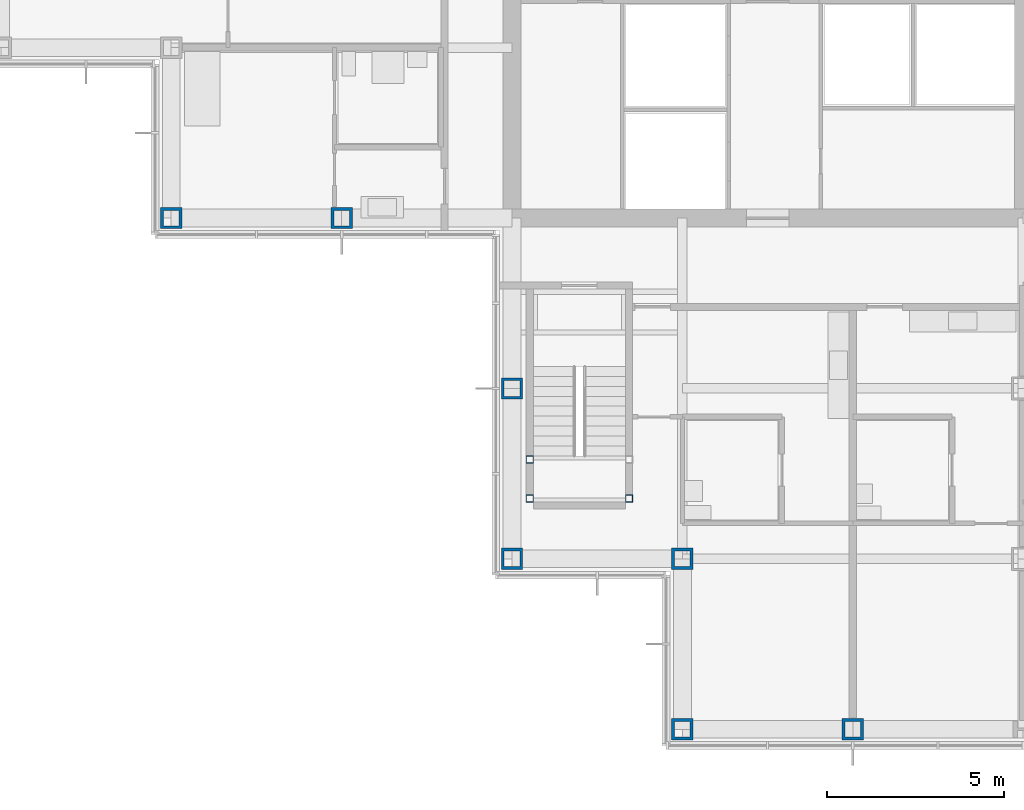
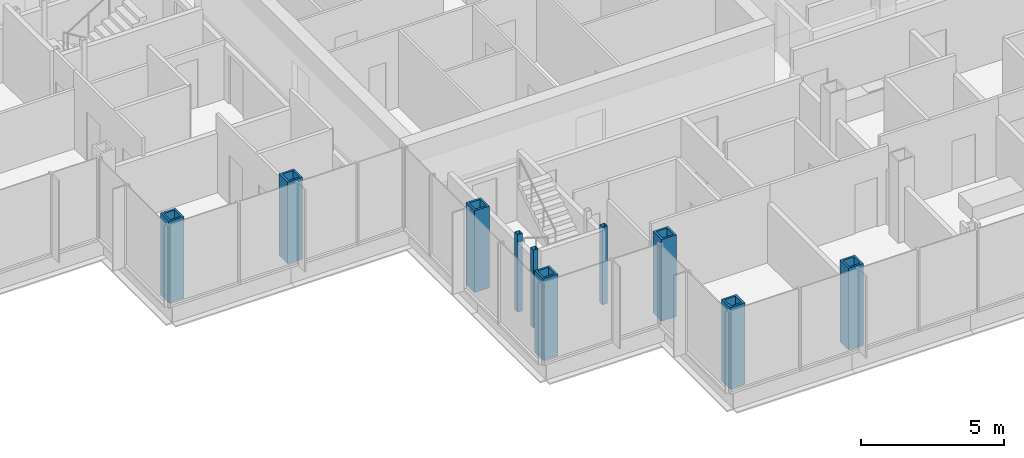
# One storey, part 1 of 19: 10 columns.
"""IFC4 building model written with IfcOpenShell, lengths in metres."""

from ifc_helpers import new_model, si_unit, direction, frame, origin, origin_2d, place, context, subcontext, project, spatial, hollow_rectangle, extrude, material, material_profile, profile_set, type_object, element, save


model = new_model("IFC4")

# Units and contexts
model_context = context("Model", 3, precision=1e-05, world=origin(), true_north=direction((0.0, 1.0)))
body_context = subcontext(model_context, "Body", "Model", "MODEL_VIEW")
ifc_project = project(units=[si_unit("LENGTHUNIT", "METRE"), si_unit("AREAUNIT", "SQUARE_METRE"), si_unit("VOLUMEUNIT", "CUBIC_METRE"), si_unit("PLANEANGLEUNIT", "RADIAN"), si_unit("MASSUNIT", "GRAM", prefix="KILO")], contexts=[model_context])

# Site, building, storey
site_placement = place(None, origin())
site = spatial("IfcSite", under=ifc_project, at=site_placement, CompositionType="ELEMENT")
building_placement = place(site_placement, origin())
building = spatial("IfcBuilding", under=site, at=building_placement, Name="Kvirike Care Tower", CompositionType="ELEMENT")
storey_placement = place(building_placement, frame((0.0, 0.0, 108.5)))
storey = spatial("IfcBuildingStorey", under=building, at=storey_placement, Name="L29", CompositionType="ELEMENT", Elevation=108.5)

# Columns
ifc_material_1 = material(Name="Steel S460", Category="steel")
ifc_material_profile_1 = material_profile(ifc_material_1, hollow_rectangle(XDim=0.60009765625, YDim=0.60009765625, WallThickness=0.080078125, at=origin_2d()), Name="BX 600x600x80")
ifc_profile_set_1 = profile_set([ifc_material_profile_1], Name="Steel S460")
column_type_1 = type_object("IfcColumnType", Name="COLUMN BX 600x600x80", PredefinedType="COLUMN", material=ifc_profile_set_1)
for number, where, z_axis, x_axis, name in (
    (1, (4.800048828125, 28.800048828125, 0.0), (0.0, 0.0, 1.0), (0.0, 1.0, 0.0), "Column G4 L29"),
    (2, (9.60009765625, 28.800048828125, 0.0), (0.0, 0.0, 1.0), (0.0, 1.0, 0.0), "Column G5 L29"),
    (3, (14.39990234375, 19.199951171875, 0.0), (0.0, 0.0, 1.0), (0.0, 1.0, 0.0), "Column E6 L29"),
    (4, (14.39990234375, 24.0, 0.0), (0.0, 0.0, 1.0), (1.0, 0.0, 0.0), "Column F6 L29"),
    (5, (19.199951171875, 14.39990234375, 0.0), (0.0, 0.0, 1.0), (0.0, 1.0, 0.0), "Column D7 L29"),
    (6, (19.199951171875, 19.199951171875, 0.0), (0.0, 0.0, 1.0), (0.0, 1.0, 0.0), "Column E7 L29"),
    (7, (24.0, 14.39990234375, 0.0), (0.0, 0.0, 1.0), (0.0, 1.0, 0.0), "Column D8 L29"),
):
    element("IfcColumn", number, at=place(storey_placement, frame(where, z_axis=z_axis, x_axis=x_axis)), inside=storey, type_object=column_type_1, Name=name, PredefinedType="COLUMN", context=body_context, shape_type="SweptSolid", body=[
        extrude(hollow_rectangle(XDim=0.60009765625, YDim=0.60009765625, WallThickness=0.080078125, at=origin_2d()), origin(), (0.0, 0.0, 1.0), 3.5),
    ])
ifc_material_2 = material(Name="Steel S460", Category="steel")
ifc_material_profile_2 = material_profile(ifc_material_2, hollow_rectangle(XDim=0.199951171875, YDim=0.199951171875, WallThickness=0.008056640625, at=origin_2d()), Name="SHS 200x200x8")
ifc_profile_set_2 = profile_set([ifc_material_profile_2], Name="Steel S460")
column_type_2 = type_object("IfcColumnType", Name="STAIR POST SHS 200x200x8", PredefinedType="COLUMN", material=ifc_profile_set_2)
for number, where, z_axis, x_axis, name in (
    (8, (14.89990234375, 20.89990234375, 0.0), (0.0, 0.0, 1.0), (1.0, 0.0, 0.0), "Stair 5 post 1 L29"),
    (9, (17.699951171875, 20.89990234375, 0.0), (0.0, 0.0, 1.0), (1.0, 0.0, 0.0), "Stair 5 post 2 L29"),
    (10, (14.89990234375, 22.0, 0.0), (0.0, 0.0, 1.0), (1.0, 0.0, 0.0), "Stair 5 post 3 L29"),
):
    element("IfcColumn", number, at=place(storey_placement, frame(where, z_axis=z_axis, x_axis=x_axis)), inside=storey, type_object=column_type_2, Name=name, PredefinedType="COLUMN", context=body_context, shape_type="SweptSolid", body=[
        extrude(hollow_rectangle(XDim=0.199951171875, YDim=0.199951171875, WallThickness=0.008056640625, at=origin_2d()), origin(), (0.0, 0.0, 1.0), 3.330078125),
    ])

save(model, "model.ifc")
